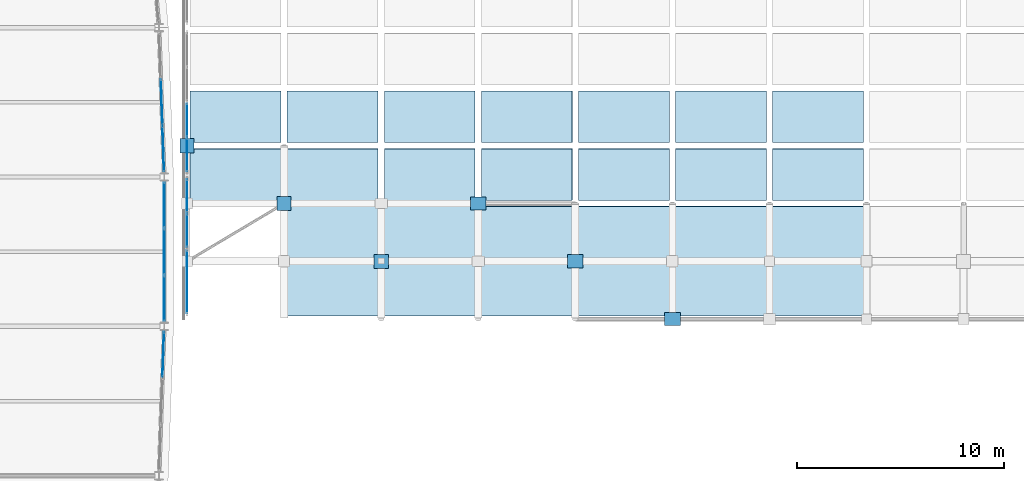
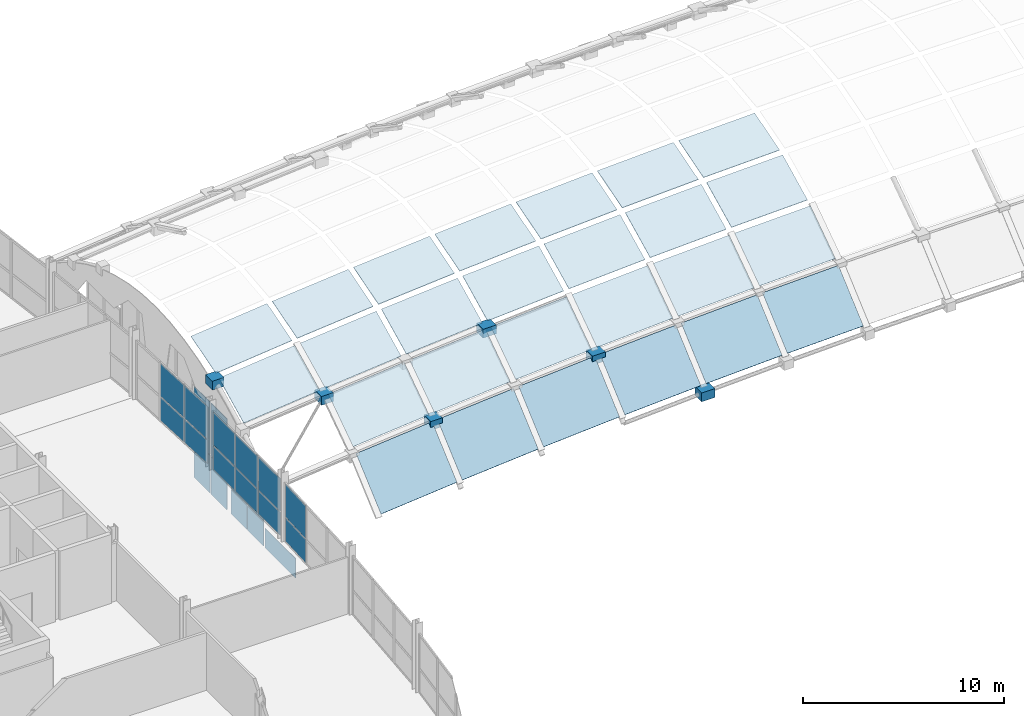
# One storey, part 42 of 65: 53 plates, 7 elements without a shape of their own.
"""IFC4 building model written with IfcOpenShell, lengths in metres."""

from ifc_helpers import new_model, si_unit, direction, frame, origin, origin_2d, place, context, subcontext, project, spatial, polyline, rectangle, outline, extrude, material, layer, layer_set, type_object, element, aggregate, save


model = new_model("IFC4")

# Units and contexts
model_context = context("Model", 3, precision=1e-05, world=origin(), true_north=direction((0.0, 1.0)))
body_context = subcontext(model_context, "Body", "Model", "MODEL_VIEW")
ifc_project = project(units=[si_unit("LENGTHUNIT", "METRE"), si_unit("AREAUNIT", "SQUARE_METRE"), si_unit("VOLUMEUNIT", "CUBIC_METRE"), si_unit("PLANEANGLEUNIT", "RADIAN"), si_unit("MASSUNIT", "GRAM", prefix="KILO")], contexts=[model_context])

# Site, building, storey
site_placement = place(None, origin())
site = spatial("IfcSite", under=ifc_project, at=site_placement, CompositionType="ELEMENT")
building_placement = place(site_placement, origin())
building = spatial("IfcBuilding", under=site, at=building_placement, Name="Quillay Park Conservatory", CompositionType="ELEMENT")
storey_placement = place(building_placement, frame((0.0, 0.0, 14.10009765625)))
storey = spatial("IfcBuildingStorey", under=building, at=storey_placement, Name="L03", CompositionType="ELEMENT", Elevation=14.10009765625)

# Plates
ifc_material_1 = material(Name="Steel S355J2H", Category="steel")
ifc_layer_1 = layer(ifc_material_1, 0.0439453125)
ifc_layer_set_1 = layer_set([ifc_layer_1], Name="BOLTED GUSSET NODE PLATE GN04 (Steel S355J2H)")
plate_type_1 = type_object("IfcPlateType", Name="BOLTED GUSSET NODE PLATE GN04", PredefinedType="USERDEFINED", material=ifc_layer_set_1)
for number, where, z_axis, x_axis, name in (
    (1, (30.64990234375, 93.905029296875, 3.722412109375), (0.0, 0.0, 1.0), (1.0, 0.0, 0.0), "Conservatory gridshell star node GN04 (0,3)"),
    (2, (35.327880859375, 91.1201171875, 2.847412109375), (0.0, 0.0, 1.0), (1.0, 0.0, 0.0), "Conservatory gridshell star node GN04 (1,2)"),
    (3, (40.005615234375, 88.3349609375, 1.374755859375), (0.0, 0.0, 1.0), (1.0, 0.0, 0.0), "Conservatory gridshell star node GN04 (2,1)"),
):
    element("IfcPlate", number, at=place(storey_placement, frame(where, z_axis=z_axis, x_axis=x_axis)), inside=storey, type_object=plate_type_1, Name=name, ObjectType="GUSSET PLATE", PredefinedType="USERDEFINED", context=body_context, shape_type="SweptSolid", body=[
        extrude(rectangle(XDim=0.679931640625, YDim=0.679931640625, at=origin_2d()), origin(), (0.0, 0.0, 1.0), 0.5400390625),
    ])
ifc_material_2 = material(Name="Steel S355J2H", Category="steel")
ifc_layer_2 = layer(ifc_material_2, 0.052001953125)
ifc_layer_set_2 = layer_set([ifc_layer_2], Name="BOLTED GUSSET NODE PLATE GN06 (Steel S355J2H)")
plate_type_2 = type_object("IfcPlateType", Name="BOLTED GUSSET NODE PLATE GN06", PredefinedType="USERDEFINED", material=ifc_layer_set_2)
for number, where, z_axis, x_axis, name in (
    (4, (44.683349609375, 91.1201171875, 3.663818359375), (0.0, 0.0, 1.0), (1.0, 0.0, 0.0), "Conservatory gridshell star node GN06 (3,2)"),
    (5, (49.361083984375, 88.3349609375, 2.073974609375), (0.0, 0.0, 1.0), (1.0, 0.0, 0.0), "Conservatory gridshell star node GN06 (4,1)"),
    (6, (54.038818359375, 85.550048828125, -0.109619140625), (0.0, 0.0, 1.0), (1.0, 0.0, 0.0), "Conservatory gridshell star node GN06 (5,0)"),
):
    element("IfcPlate", number, at=place(storey_placement, frame(where, z_axis=z_axis, x_axis=x_axis)), inside=storey, type_object=plate_type_2, Name=name, ObjectType="GUSSET PLATE", PredefinedType="USERDEFINED", context=body_context, shape_type="SweptSolid", body=[
        extrude(rectangle(XDim=0.760009765625, YDim=0.639892578125, at=origin_2d()), origin(), (0.0, 0.0, 1.0), 0.5400390625),
    ])

# Curtain wall, plates
ifc_material_3 = material(Name="Thermally Broken Anodised Aluminium 6063-T6", Category="aluminium")
ifc_layer_3 = layer(ifc_material_3, 0.179931640625)
ifc_layer_set_3 = layer_set([ifc_layer_3], Name="UNITISED CURTAIN WALL TOWER (Thermally Broken Anodised Aluminium 6063-T6)")
curtain_wall_type_1 = type_object("IfcCurtainWallType", Name="UNITISED CURTAIN WALL TOWER", PredefinedType="USERDEFINED", material=ifc_layer_set_3)
curtain_wall_1_placement = place(storey_placement, origin())
curtain_wall_1 = element("IfcCurtainWall", 7, at=curtain_wall_1_placement, inside=storey, type_object=curtain_wall_type_1, Name="L03 Unitised Curtain Wall 030", ObjectType="UNITISED CURTAIN WALL", PredefinedType="USERDEFINED")
ifc_material_4 = material(Name="Low-E Double Glazing (Laminated Tempered)", Category="glass")
ifc_layer_4 = layer(ifc_material_4, 0.028076171875)
ifc_layer_set_4 = layer_set([ifc_layer_4], Name="CURTAIN WALL GLAZED PANEL 28 (Low-E Double Glazing (Laminated Tempered))")
plate_type_3 = type_object("IfcPlateType", Name="CURTAIN WALL GLAZED PANEL 28", PredefinedType="CURTAIN_PANEL", material=ifc_layer_set_4)
plate_1_placement = place(storey_placement, frame((29.503173828125, 83.849365234375, 0.06982421875), z_axis=(0.0, 0.0, 1.0), x_axis=(-0.034713338537, -0.999397310446, 0.0)))
plate_1 = element("IfcPlate", 8, at=plate_1_placement, type_object=plate_type_3, Name="CW-T1 panel 1.1", PredefinedType="CURTAIN_PANEL", context=body_context, shape_type="SweptSolid", body=[
    extrude(rectangle(XDim=2.1630859375, YDim=0.028076171875, at=origin_2d()), origin(), (0.0, 0.0, 1.0), 1.406494140625),
])
plate_2_placement = place(storey_placement, frame((29.503173828125, 83.849365234375, 1.54638671875), z_axis=(0.0, 0.0, 1.0), x_axis=(-0.034713338537, -0.999397310446, 0.0)))
plate_2 = element("IfcPlate", 9, at=plate_2_placement, type_object=plate_type_3, Name="CW-T1 panel 1.2", PredefinedType="CURTAIN_PANEL", context=body_context, shape_type="SweptSolid", body=[
    extrude(rectangle(XDim=2.1630859375, YDim=0.028076171875, at=origin_2d()), origin(), (0.0, 0.0, 1.0), 1.982421875),
])
aggregate(curtain_wall_1, [plate_1, plate_2])

curtain_wall_2_placement = place(storey_placement, origin())
curtain_wall_2 = element("IfcCurtainWall", 10, at=curtain_wall_2_placement, inside=storey, type_object=curtain_wall_type_1, Name="L03 Unitised Curtain Wall 031", ObjectType="UNITISED CURTAIN WALL", PredefinedType="USERDEFINED")
plate_3_placement = place(storey_placement, frame((29.550048828125, 91.049072265625, 0.06982421875), z_axis=(0.0, 0.0, 1.0), x_axis=(0.0, -1.0, 0.0)))
plate_3 = element("IfcPlate", 11, at=plate_3_placement, type_object=plate_type_3, Name="CW-T1 panel 1.1", PredefinedType="CURTAIN_PANEL", context=body_context, shape_type="SweptSolid", body=[
    extrude(rectangle(XDim=2.16162109375, YDim=0.028076171875, at=origin_2d()), origin(), (0.0, 0.0, 1.0), 1.406494140625),
])
plate_4_placement = place(storey_placement, frame((29.550048828125, 91.049072265625, 1.54638671875), z_axis=(0.0, 0.0, 1.0), x_axis=(0.0, -1.0, 0.0)))
plate_4 = element("IfcPlate", 12, at=plate_4_placement, type_object=plate_type_3, Name="CW-T1 panel 1.2", PredefinedType="CURTAIN_PANEL", context=body_context, shape_type="SweptSolid", body=[
    extrude(rectangle(XDim=2.16162109375, YDim=0.028076171875, at=origin_2d()), origin(), (0.0, 0.0, 1.0), 1.982421875),
])
plate_5_placement = place(storey_placement, frame((29.550048828125, 88.800048828125, 0.06982421875), z_axis=(0.0, 0.0, 1.0), x_axis=(0.0, -1.0, 0.0)))
plate_5 = element("IfcPlate", 13, at=plate_5_placement, type_object=plate_type_3, Name="CW-T1 panel 2.1", PredefinedType="CURTAIN_PANEL", context=body_context, shape_type="SweptSolid", body=[
    extrude(rectangle(XDim=2.19677734375, YDim=0.028076171875, at=origin_2d()), origin(), (0.0, 0.0, 1.0), 1.406494140625),
])
plate_6_placement = place(storey_placement, frame((29.550048828125, 88.800048828125, 1.54638671875), z_axis=(0.0, 0.0, 1.0), x_axis=(0.0, -1.0, 0.0)))
plate_6 = element("IfcPlate", 14, at=plate_6_placement, type_object=plate_type_3, Name="CW-T1 panel 2.2", PredefinedType="CURTAIN_PANEL", context=body_context, shape_type="SweptSolid", body=[
    extrude(rectangle(XDim=2.19677734375, YDim=0.028076171875, at=origin_2d()), origin(), (0.0, 0.0, 1.0), 1.982421875),
])
plate_7_placement = place(storey_placement, frame((29.550048828125, 86.55078125, 0.06982421875), z_axis=(0.0, 0.0, 1.0), x_axis=(0.0, -1.0, 0.0)))
plate_7 = element("IfcPlate", 15, at=plate_7_placement, type_object=plate_type_3, Name="CW-T1 panel 3.1", PredefinedType="CURTAIN_PANEL", context=body_context, shape_type="SweptSolid", body=[
    extrude(rectangle(XDim=2.16162109375, YDim=0.028076171875, at=origin_2d()), origin(), (0.0, 0.0, 1.0), 1.406494140625),
])
plate_8_placement = place(storey_placement, frame((29.550048828125, 86.55078125, 1.54638671875), z_axis=(0.0, 0.0, 1.0), x_axis=(0.0, -1.0, 0.0)))
plate_8 = element("IfcPlate", 16, at=plate_8_placement, type_object=plate_type_3, Name="CW-T1 panel 3.2", PredefinedType="CURTAIN_PANEL", context=body_context, shape_type="SweptSolid", body=[
    extrude(rectangle(XDim=2.16162109375, YDim=0.028076171875, at=origin_2d()), origin(), (0.0, 0.0, 1.0), 1.982421875),
])
aggregate(curtain_wall_2, [plate_3, plate_4, plate_5, plate_6, plate_7, plate_8])

curtain_wall_3_placement = place(storey_placement, origin())
curtain_wall_3 = element("IfcCurtainWall", 17, at=curtain_wall_3_placement, inside=storey, type_object=curtain_wall_type_1, Name="L03 Unitised Curtain Wall 032", ObjectType="UNITISED CURTAIN WALL", PredefinedType="USERDEFINED")
plate_9_placement = place(storey_placement, frame((29.425048828125, 96.0, 0.06982421875), z_axis=(0.0, 0.0, 1.0), x_axis=(0.034713338537, -0.999397310446, 0.0)))
plate_9 = element("IfcPlate", 18, at=plate_9_placement, type_object=plate_type_3, Name="CW-T1 panel 2.1", PredefinedType="CURTAIN_PANEL", context=body_context, shape_type="SweptSolid", body=[
    extrude(rectangle(XDim=2.197998046875, YDim=0.028076171875, at=origin_2d()), origin(), (0.0, 0.0, 1.0), 1.406494140625),
])
plate_10_placement = place(storey_placement, frame((29.425048828125, 96.0, 1.54638671875), z_axis=(0.0, 0.0, 1.0), x_axis=(0.034713338537, -0.999397310446, 0.0)))
plate_10 = element("IfcPlate", 19, at=plate_10_placement, type_object=plate_type_3, Name="CW-T1 panel 2.2", PredefinedType="CURTAIN_PANEL", context=body_context, shape_type="SweptSolid", body=[
    extrude(rectangle(XDim=2.197998046875, YDim=0.028076171875, at=origin_2d()), origin(), (0.0, 0.0, 1.0), 1.982421875),
])
plate_11_placement = place(storey_placement, frame((29.503173828125, 93.750732421875, 0.06982421875), z_axis=(0.0, 0.0, 1.0), x_axis=(0.034713338537, -0.999397310446, 0.0)))
plate_11 = element("IfcPlate", 20, at=plate_11_placement, type_object=plate_type_3, Name="CW-T1 panel 3.1", PredefinedType="CURTAIN_PANEL", context=body_context, shape_type="SweptSolid", body=[
    extrude(rectangle(XDim=2.1630859375, YDim=0.028076171875, at=origin_2d()), origin(), (0.0, 0.0, 1.0), 1.406494140625),
])
plate_12_placement = place(storey_placement, frame((29.503173828125, 93.750732421875, 1.54638671875), z_axis=(0.0, 0.0, 1.0), x_axis=(0.034713338537, -0.999397310446, 0.0)))
plate_12 = element("IfcPlate", 21, at=plate_12_placement, type_object=plate_type_3, Name="CW-T1 panel 3.2", PredefinedType="CURTAIN_PANEL", context=body_context, shape_type="SweptSolid", body=[
    extrude(rectangle(XDim=2.1630859375, YDim=0.028076171875, at=origin_2d()), origin(), (0.0, 0.0, 1.0), 1.982421875),
])
aggregate(curtain_wall_3, [plate_9, plate_10, plate_11, plate_12])

# Curtain wall, plate
ifc_material_5 = material(Name="Thermally Broken Anodised Aluminium 6063-T6", Category="aluminium")
ifc_layer_5 = layer(ifc_material_5, 0.219970703125)
ifc_layer_set_5 = layer_set([ifc_layer_5], Name="UNITISED CURTAIN WALL CONSERVATORY (Thermally Broken Anodised Aluminium 6063-T6)")
curtain_wall_type_2 = type_object("IfcCurtainWallType", Name="UNITISED CURTAIN WALL CONSERVATORY", PredefinedType="USERDEFINED", material=ifc_layer_set_5)
curtain_wall_4_placement = place(storey_placement, origin())
curtain_wall_4 = element("IfcCurtainWall", 22, at=curtain_wall_4_placement, inside=storey, type_object=curtain_wall_type_2, Name="L03 Unitised Curtain Wall 175", ObjectType="UNITISED CURTAIN WALL", PredefinedType="USERDEFINED")
ifc_material_6 = material(Name="Low-Iron Laminated Insulated Glazing", Category="glass")
ifc_layer_6 = layer(ifc_material_6, 0.031982421875)
ifc_layer_set_6 = layer_set([ifc_layer_6], Name="CURTAIN WALL GLAZED PANEL 32 (Low-Iron Laminated Insulated Glazing)")
plate_type_4 = type_object("IfcPlateType", Name="CURTAIN WALL GLAZED PANEL 32", PredefinedType="CURTAIN_PANEL", material=ifc_layer_set_6)
plate_13_placement = place(storey_placement, frame((30.64990234375, 87.3525390625, -3.13037109375), z_axis=(0.0, 0.0, 1.0), x_axis=(0.0, 1.0, 0.0)))
plate_13 = element("IfcPlate", 23, at=plate_13_placement, type_object=plate_type_4, Name="CW-C1 panel 1.1", PredefinedType="CURTAIN_PANEL", context=body_context, shape_type="SweptSolid", body=[
    extrude(rectangle(XDim=3.054931640625, YDim=0.031982421875, at=origin_2d()), origin(), (0.0, 0.0, 1.0), 1.177978515625),
])
aggregate(curtain_wall_4, [plate_13])

# Curtain wall, plates
curtain_wall_5_placement = place(storey_placement, origin())
curtain_wall_5 = element("IfcCurtainWall", 24, at=curtain_wall_5_placement, inside=storey, type_object=curtain_wall_type_2, Name="L03 Unitised Curtain Wall 177", ObjectType="UNITISED CURTAIN WALL", PredefinedType="USERDEFINED")
plate_14_placement = place(storey_placement, frame((30.64990234375, 89.8173828125, -3.130126953125), z_axis=(0.0, 0.0, 1.0), x_axis=(0.0, 1.0, 0.0)))
plate_14 = element("IfcPlate", 25, at=plate_14_placement, type_object=plate_type_4, Name="CW-C1 panel 1.1", PredefinedType="CURTAIN_PANEL", context=body_context, shape_type="SweptSolid", body=[
    extrude(rectangle(XDim=1.594970703125, YDim=0.031982421875, at=origin_2d()), origin(), (0.0, 0.0, 1.0), 1.4755859375),
])
plate_15_placement = place(storey_placement, frame((30.64990234375, 89.8173828125, -1.58447265625), z_axis=(0.0, 0.0, 1.0), x_axis=(0.0, 1.0, 0.0)))
plate_15 = element("IfcPlate", 26, at=plate_15_placement, type_object=plate_type_4, Name="CW-C1 panel 1.2", PredefinedType="CURTAIN_PANEL", context=body_context, shape_type="SweptSolid", body=[
    extrude(rectangle(XDim=1.594970703125, YDim=0.031982421875, at=origin_2d()), origin(), (0.0, 0.0, 1.0), 2.07763671875),
])
plate_16_placement = place(storey_placement, frame((30.64990234375, 91.482421875, -3.130126953125), z_axis=(0.0, 0.0, 1.0), x_axis=(0.0, 1.0, 0.0)))
plate_16 = element("IfcPlate", 27, at=plate_16_placement, type_object=plate_type_4, Name="CW-C1 panel 2.1", PredefinedType="CURTAIN_PANEL", context=body_context, shape_type="SweptSolid", body=[
    extrude(rectangle(XDim=1.594970703125, YDim=0.031982421875, at=origin_2d()), origin(), (0.0, 0.0, 1.0), 1.4755859375),
])
plate_17_placement = place(storey_placement, frame((30.64990234375, 91.482421875, -1.58447265625), z_axis=(0.0, 0.0, 1.0), x_axis=(0.0, 1.0, 0.0)))
plate_17 = element("IfcPlate", 28, at=plate_17_placement, type_object=plate_type_4, Name="CW-C1 panel 2.2", PredefinedType="CURTAIN_PANEL", context=body_context, shape_type="SweptSolid", body=[
    extrude(rectangle(XDim=1.594970703125, YDim=0.031982421875, at=origin_2d()), origin(), (0.0, 0.0, 1.0), 2.07763671875),
])
aggregate(curtain_wall_5, [plate_14, plate_15, plate_16, plate_17])

curtain_wall_6_placement = place(storey_placement, origin())
curtain_wall_6 = element("IfcCurtainWall", 29, at=curtain_wall_6_placement, inside=storey, type_object=curtain_wall_type_2, Name="L03 Unitised Curtain Wall 179", ObjectType="UNITISED CURTAIN WALL", PredefinedType="USERDEFINED")
plate_18_placement = place(storey_placement, frame((30.64990234375, 93.47119140625, -3.130126953125), z_axis=(0.0, 0.0, 1.0), x_axis=(0.0, 1.0, 0.0)))
plate_18 = element("IfcPlate", 30, at=plate_18_placement, type_object=plate_type_4, Name="CW-C1 panel 1.1", PredefinedType="CURTAIN_PANEL", context=body_context, shape_type="SweptSolid", body=[
    extrude(rectangle(XDim=1.592529296875, YDim=0.031982421875, at=origin_2d()), origin(), (0.0, 0.0, 1.0), 2.27783203125),
])
plate_19_placement = place(storey_placement, frame((30.64990234375, 93.47119140625, -0.7822265625), z_axis=(0.0, 0.0, 1.0), x_axis=(0.0, 1.0, 0.0)))
plate_19 = element("IfcPlate", 31, at=plate_19_placement, type_object=plate_type_4, Name="CW-C1 panel 1.2", PredefinedType="CURTAIN_PANEL", context=body_context, shape_type="SweptSolid", body=[
    extrude(rectangle(XDim=1.592529296875, YDim=0.031982421875, at=origin_2d()), origin(), (0.0, 0.0, 1.0), 3.185546875),
])
plate_20_placement = place(storey_placement, frame((30.64990234375, 95.1337890625, -3.130126953125), z_axis=(0.0, 0.0, 1.0), x_axis=(0.0, 1.0, 0.0)))
plate_20 = element("IfcPlate", 32, at=plate_20_placement, type_object=plate_type_4, Name="CW-C1 panel 2.1", PredefinedType="CURTAIN_PANEL", context=body_context, shape_type="SweptSolid", body=[
    extrude(rectangle(XDim=1.592529296875, YDim=0.031982421875, at=origin_2d()), origin(), (0.0, 0.0, 1.0), 2.27783203125),
])
plate_21_placement = place(storey_placement, frame((30.64990234375, 95.1337890625, -0.7822265625), z_axis=(0.0, 0.0, 1.0), x_axis=(0.0, 1.0, 0.0)))
plate_21 = element("IfcPlate", 33, at=plate_21_placement, type_object=plate_type_4, Name="CW-C1 panel 2.2", PredefinedType="CURTAIN_PANEL", context=body_context, shape_type="SweptSolid", body=[
    extrude(rectangle(XDim=1.592529296875, YDim=0.031982421875, at=origin_2d()), origin(), (0.0, 0.0, 1.0), 3.185546875),
])
aggregate(curtain_wall_6, [plate_18, plate_19, plate_20, plate_21])

# Roof, plates
ifc_material_7 = material(Name="Low-Iron Laminated Insulated Glazing", Category="glass")
roof_type = type_object("IfcRoofType", Name="TRANSLATIONAL GRIDSHELL ROOF", PredefinedType="FREEFORM", material=ifc_material_7)
roof_placement = place(storey_placement, origin())
roof = element("IfcRoof", 34, at=roof_placement, inside=storey, type_object=roof_type, Name="Multi-Biome Conservatory Translational Gridshell Roof", PredefinedType="FREEFORM")
ifc_material_8 = material(Name="Low-Iron Laminated Insulated Glazing", Category="glass")
ifc_layer_7 = layer(ifc_material_8, 0.033935546875)
ifc_layer_set_7 = layer_set([ifc_layer_7], Name="GRIDSHELL GLAZED PANEL 34 (Low-Iron Laminated Insulated Glazing)")
plate_type_5 = type_object("IfcPlateType", Name="GRIDSHELL GLAZED PANEL 34", PredefinedType="SHEET", material=ifc_layer_set_7)
plate_22_placement = place(storey_placement, frame((30.800048828125, 94.054931640625, 4.29052734375), z_axis=(-0.100379659053, -0.284719168104, 0.953340925043), x_axis=(0.994502413448, 0.0, 0.10471365549)))
plate_22 = element("IfcPlate", 35, at=plate_22_placement, type_object=plate_type_5, Name="Conservatory Gridshell Roof Glazing Panel 00-03", PredefinedType="SHEET", context=body_context, shape_type="SweptSolid", body=[
    extrude(outline(polyline([(0.0, 0.0), (4.401885292261092, 0.0), (4.479602458445021, 2.5924045258205366), (0.07771716618392943, 2.5924045258205366), (0.0, 0.0)])), origin(), (0.0, 0.0, -1.0), 0.033935546875),
])
plate_23_placement = place(storey_placement, frame((35.477783203125, 91.27001953125, 3.43896484375), z_axis=(-0.083715044913, -0.441072668602, 0.893558443677), x_axis=(0.995640029065, 0.0, 0.09327878925)))
plate_23 = element("IfcPlate", 36, at=plate_23_placement, type_object=plate_type_5, Name="Conservatory Gridshell Roof Glazing Panel 01-02", PredefinedType="SHEET", context=body_context, shape_type="SweptSolid", body=[
    extrude(outline(polyline([(0.0, 0.0), (4.397100919709247, 0.0), (4.51151318464855, 2.768738146979997), (0.11441226493930247, 2.768738146979997), (0.0, 0.0)])), origin(), (0.0, 0.0, -1.0), 0.033935546875),
])
plate_24_placement = place(storey_placement, frame((40.155517578125, 88.485107421875, 1.99365234375), z_axis=(-0.066828202311, -0.56408810222, 0.823005834919), x_axis=(0.996719480928, 0.0, 0.080933777493)))
plate_24 = element("IfcPlate", 37, at=plate_24_placement, type_object=plate_type_5, Name="Conservatory Gridshell Roof Glazing Panel 02-01", PredefinedType="SHEET", context=body_context, shape_type="SweptSolid", body=[
    extrude(outline(polyline([(0.0, 0.0), (4.392093894664006, 0.0), (4.52993423445712, 3.0093488220635436), (0.13784033979311447, 3.0093488220635436), (0.0, 0.0)])), origin(), (0.0, 0.0, -1.0), 0.033935546875),
])
plate_25_placement = place(storey_placement, frame((44.833251953125, 85.699951171875, -0.04541015625), z_axis=(-0.051542398016, -0.659188039549, 0.750209643848), x_axis=(0.997648203197, 0.0, 0.068542415031)))
plate_25 = element("IfcPlate", 38, at=plate_25_placement, type_object=plate_type_5, Name="Conservatory Gridshell Roof Glazing Panel 03-00", PredefinedType="SHEET", context=body_context, shape_type="SweptSolid", body=[
    extrude(outline(polyline([(0.0, 0.0), (4.388249959727159, 0.0), (4.537918748799061, 3.3047601753947324), (0.14966878907190223, 3.3047601753947324), (0.0, 0.0)])), origin(), (0.0, 0.0, -1.0), 0.033935546875),
])
plate_26_placement = place(storey_placement, frame((44.833251953125, 94.054931640625, 5.59521484375), z_axis=(-0.06568864252, -0.285546458851, 0.95611098837), x_axis=(0.997648203197, 0.0, 0.068542415031)))
plate_26 = element("IfcPlate", 39, at=plate_26_placement, type_object=plate_type_5, Name="Conservatory Gridshell Roof Glazing Panel 03-03", PredefinedType="SHEET", context=body_context, shape_type="SweptSolid", body=[
    extrude(outline(polyline([(0.0, 0.0), (4.388249959727159, -1.3877787807814457e-17), (4.439121283383082, 2.5930702442941946), (0.05087132365592384, 2.5930702442941946), (0.0, 0.0)])), origin(), (0.0, 0.0, -1.0), 0.033935546875),
])
plate_27_placement = place(storey_placement, frame((49.510986328125, 91.27001953125, 4.56787109375), z_axis=(-0.050342052262, -0.442065169955, 0.895569128145), x_axis=(0.998423819779, 0.0, 0.05612375699)))
plate_27 = element("IfcPlate", 40, at=plate_27_placement, type_object=plate_type_5, Name="Conservatory Gridshell Roof Glazing Panel 04-02", PredefinedType="SHEET", context=body_context, shape_type="SweptSolid", body=[
    extrude(outline(polyline([(0.0, 0.0), (4.384840987137722, 0.0), (4.453680282820235, 2.7702458815564914), (0.06883929568251282, 2.7702458815564914), (0.0, 0.0)])), origin(), (0.0, 0.0, -1.0), 0.033935546875),
])
plate_28_placement = place(storey_placement, frame((54.18896484375, 88.485107421875, 2.95068359375), z_axis=(-0.036041608325, -0.564984633507, 0.824313876124), x_axis=(0.999045510911, 0.0, 0.043681427726)))
plate_28 = element("IfcPlate", 41, at=plate_28_placement, type_object=plate_type_5, Name="Conservatory Gridshell Roof Glazing Panel 05-01", PredefinedType="SHEET", context=body_context, shape_type="SweptSolid", body=[
    extrude(outline(polyline([(0.0, 0.0), (4.381867992061984, 0.0), (4.456262923657778, 3.0115852447311493), (0.07439493159579387, 3.0115852447311493), (0.0, 0.0)])), origin(), (0.0, 0.0, -1.0), 0.033935546875),
])
plate_29_placement = place(storey_placement, frame((58.86669921875, 85.699951171875, 0.73583984375), z_axis=(-0.023454399416, -0.659883814817, 0.751001492735), x_axis=(0.999512674112, 0.0, 0.031215609698)))
plate_29 = element("IfcPlate", 42, at=plate_29_placement, type_object=plate_type_5, Name="Conservatory Gridshell Roof Glazing Panel 06-00", PredefinedType="SHEET", context=body_context, shape_type="SweptSolid", body=[
    extrude(outline(polyline([(0.0, 0.0), (4.379819946518331, 0.0), (4.447982156758304, 3.307445309660082), (0.06816221023997364, 3.307445309660082), (0.0, 0.0)])), origin(), (0.0, 0.0, -1.0), 0.033935546875),
])
plate_30_placement = place(storey_placement, frame((58.86669921875, 94.054931640625, 6.37646484375), z_axis=(-0.029911381815, -0.28603648293, 0.957751763074), x_axis=(0.999512674112, 0.0, 0.031215609698)))
plate_30 = element("IfcPlate", 43, at=plate_30_placement, type_object=plate_type_5, Name="Conservatory Gridshell Roof Glazing Panel 06-03", PredefinedType="SHEET", context=body_context, shape_type="SweptSolid", body=[
    extrude(outline(polyline([(0.0, 0.0), (4.379819946518331, 0.0), (4.402987781841398, 2.593465718844362), (0.023167835323067962, 2.593465718844362), (0.0, 0.0)])), origin(), (0.0, 0.0, -1.0), 0.033935546875),
])
ifc_material_9 = material(Name="Low-Iron Laminated Insulated Glazing", Category="glass")
ifc_layer_8 = layer(ifc_material_9, 0.0380859375)
ifc_layer_set_8 = layer_set([ifc_layer_8], Name="GRIDSHELL GLAZED PANEL 38 (Low-Iron Laminated Insulated Glazing)")
plate_type_6 = type_object("IfcPlateType", Name="GRIDSHELL GLAZED PANEL 38", PredefinedType="SHEET", material=ifc_layer_set_8)
plate_31_placement = place(storey_placement, frame((35.477783203125, 85.699951171875, -0.85791015625), z_axis=(-0.070204981761, -0.658436739241, 0.749354602944), x_axis=(0.995640029065, 0.0, 0.09327878925)))
plate_31 = element("IfcPlate", 44, at=plate_31_placement, type_object=plate_type_6, Name="Conservatory Gridshell Roof Glazing Panel 01-00", PredefinedType="SHEET", context=body_context, shape_type="SweptSolid", body=[
    extrude(outline(polyline([(0.0, 0.0), (4.397100919709247, -5.551115123125783e-17), (4.600783900922846, 3.3018712583111434), (0.20368298121359898, 3.3018712583111434), (0.0, 0.0)])), origin(), (0.0, 0.0, -1.0), 0.0380859375),
])
plate_32_placement = place(storey_placement, frame((35.477783203125, 94.054931640625, 4.78271484375), z_axis=(-0.089409775434, -0.285018415772, 0.954342912547), x_axis=(0.995640029065, 0.0, 0.09327878925)))
plate_32 = element("IfcPlate", 45, at=plate_32_placement, type_object=plate_type_6, Name="Conservatory Gridshell Roof Glazing Panel 01-03", PredefinedType="SHEET", context=body_context, shape_type="SweptSolid", body=[
    extrude(outline(polyline([(0.0, 0.0), (4.397100919709247, 0.0), (4.46633127110564, 2.592645047410075), (0.06923035139639322, 2.592645047410075), (0.0, 0.0)])), origin(), (0.0, 0.0, -1.0), 0.0380859375),
])
plate_33_placement = place(storey_placement, frame((40.155517578125, 91.27001953125, 3.87255859375), z_axis=(-0.072620426108, -0.44145771661, 0.894338503117), x_axis=(0.996719480928, 0.0, 0.080933777493)))
plate_33 = element("IfcPlate", 46, at=plate_33_placement, type_object=plate_type_6, Name="Conservatory Gridshell Roof Glazing Panel 02-02", PredefinedType="SHEET", context=body_context, shape_type="SweptSolid", body=[
    extrude(outline(polyline([(0.0, 0.0), (4.392093894664006, 0.0), (4.491364231120515, 2.7693223888183516), (0.09927033645650904, 2.769322388818351), (0.0, 0.0)])), origin(), (0.0, 0.0, -1.0), 0.0380859375),
])
plate_34_placement = place(storey_placement, frame((44.833251953125, 88.485107421875, 2.37255859375), z_axis=(-0.056579692806, -0.564446303089, 0.823528450809), x_axis=(0.997648203197, 0.0, 0.068542415031)))
plate_34 = element("IfcPlate", 47, at=plate_34_placement, type_object=plate_type_6, Name="Conservatory Gridshell Roof Glazing Panel 03-01", PredefinedType="SHEET", context=body_context, shape_type="SweptSolid", body=[
    extrude(outline(polyline([(0.0, 0.0), (4.388249959727159, -2.7755575615628914e-17), (4.504986260327068, 3.0102413405326427), (0.11673630059990946, 3.010241340532643), (0.0, 0.0)])), origin(), (0.0, 0.0, -1.0), 0.0380859375),
])
plate_35_placement = place(storey_placement, frame((49.510986328125, 85.699951171875, 0.27099609375), z_axis=(-0.042189582882, -0.659477686763, 0.750539285953), x_axis=(0.998423819779, 0.0, 0.05612375699)))
plate_35 = element("IfcPlate", 48, at=plate_35_placement, type_object=plate_type_6, Name="Conservatory Gridshell Roof Glazing Panel 04-00", PredefinedType="SHEET", context=body_context, shape_type="SweptSolid", body=[
    extrude(outline(polyline([(0.0, 0.0), (4.384840987137722, -2.7755575615628914e-17), (4.5073924721266545, 3.305876842355789), (0.12255148498893206, 3.305876842355789), (0.0, 0.0)])), origin(), (0.0, 0.0, -1.0), 0.0380859375),
])
plate_36_placement = place(storey_placement, frame((49.510986328125, 94.054931640625, 5.91162109375), z_axis=(-0.053783626367, -0.285750335227, 0.956793638907), x_axis=(0.998423819779, 0.0, 0.05612375699)))
plate_36 = element("IfcPlate", 49, at=plate_36_placement, type_object=plate_type_6, Name="Conservatory Gridshell Roof Glazing Panel 04-03", PredefinedType="SHEET", context=body_context, shape_type="SweptSolid", body=[
    extrude(outline(polyline([(0.0, 0.0), (4.384840987137722, 0.0), (4.426495338028415, 2.593234678633296), (0.04165435089069247, 2.593234678633296), (0.0, 0.0)])), origin(), (0.0, 0.0, -1.0), 0.0380859375),
])
plate_37_placement = place(storey_placement, frame((54.18896484375, 91.27001953125, 4.82958984375), z_axis=(-0.03917672688, -0.442286599273, 0.89601771644), x_axis=(0.999045510911, 0.0, 0.043681427726)))
plate_37 = element("IfcPlate", 50, at=plate_37_placement, type_object=plate_type_6, Name="Conservatory Gridshell Roof Glazing Panel 05-02", PredefinedType="SHEET", context=body_context, shape_type="SweptSolid", body=[
    extrude(outline(polyline([(0.0, 0.0), (4.381867992061984, 0.0), (4.435445993257121, 2.7705830597003764), (0.053578001195135956, 2.7705830597003764), (0.0, 0.0)])), origin(), (0.0, 0.0, -1.0), 0.0380859375),
])
plate_38_placement = place(storey_placement, frame((58.86669921875, 88.485107421875, 3.15380859375), z_axis=(-0.025752199587, -0.565164453272, 0.824576233573), x_axis=(0.999512674112, 0.0, 0.031215609698)))
plate_38 = element("IfcPlate", 51, at=plate_38_placement, type_object=plate_type_6, Name="Conservatory Gridshell Roof Glazing Panel 06-01", PredefinedType="SHEET", context=body_context, shape_type="SweptSolid", body=[
    extrude(outline(polyline([(0.0, 0.0), (4.379819946518331, 1.3877787807814457e-17), (4.4329840317860025, 3.0120348391356915), (0.05316408526767174, 3.0120348391356915), (0.0, 0.0)])), origin(), (0.0, 0.0, -1.0), 0.0380859375),
])
ifc_material_10 = material(Name="Low-Iron Laminated Insulated Glazing", Category="glass")
ifc_layer_9 = layer(ifc_material_10, 0.0419921875)
ifc_layer_set_9 = layer_set([ifc_layer_9], Name="GRIDSHELL GLAZED PANEL 42 (Low-Iron Laminated Insulated Glazing)")
plate_type_7 = type_object("IfcPlateType", Name="GRIDSHELL GLAZED PANEL 42", PredefinedType="SHEET", material=ifc_layer_set_9)
plate_39_placement = place(storey_placement, frame((30.800048828125, 91.27001953125, 2.94677734375), z_axis=(-0.093998395221, -0.440666609404, 0.892735818175), x_axis=(0.994502413448, 0.0, 0.10471365549)))
plate_39 = element("IfcPlate", 52, at=plate_39_placement, type_object=plate_type_7, Name="Conservatory Gridshell Roof Glazing Panel 00-02", PredefinedType="SHEET", context=body_context, shape_type="SweptSolid", body=[
    extrude(outline(polyline([(0.0, 0.0), (4.401885292261092, 0.0), (4.530323135322954, 2.7681229765637916), (0.12843784306186232, 2.7681229765637916), (0.0, 0.0)])), origin(), (0.0, 0.0, -1.0), 0.0419921875),
])
plate_40_placement = place(storey_placement, frame((35.477783203125, 88.485107421875, 1.56005859375), z_axis=(-0.077048200398, -0.563671365576, 0.8223978152), x_axis=(0.995640029065, 0.0, 0.09327878925)))
plate_40 = element("IfcPlate", 53, at=plate_40_placement, type_object=plate_type_7, Name="Conservatory Gridshell Roof Glazing Panel 01-01", PredefinedType="SHEET", context=body_context, shape_type="SweptSolid", body=[
    extrude(outline(polyline([(0.0, 0.0), (4.397100919709247, 0.0), (4.555966357650444, 3.008312162119694), (0.15886543794119706, 3.008312162119694), (0.0, 0.0)])), origin(), (0.0, 0.0, -1.0), 0.0419921875),
])
plate_41_placement = place(storey_placement, frame((40.155517578125, 85.699951171875, -0.42431640625), z_axis=(-0.060885053761, -0.658840829954, 0.749814491067), x_axis=(0.996719480928, 0.0, 0.080933777493)))
plate_41 = element("IfcPlate", 54, at=plate_41_placement, type_object=plate_type_7, Name="Conservatory Gridshell Roof Glazing Panel 02-00", PredefinedType="SHEET", context=body_context, shape_type="SweptSolid", body=[
    extrude(outline(polyline([(0.0, 0.0), (4.392093894664006, 0.0), (4.568820385362058, 3.3034237255887753), (0.1767264906980527, 3.3034237255887753), (0.0, 0.0)])), origin(), (0.0, 0.0, -1.0), 0.0419921875),
])
plate_42_placement = place(storey_placement, frame((40.155517578125, 94.054931640625, 5.21630859375), z_axis=(-0.077569974286, -0.285302286538, 0.95529341272), x_axis=(0.996719480928, 0.0, 0.080933777493)))
plate_42 = element("IfcPlate", 55, at=plate_42_placement, type_object=plate_type_7, Name="Conservatory Gridshell Roof Glazing Panel 02-03", PredefinedType="SHEET", context=body_context, shape_type="SweptSolid", body=[
    extrude(outline(polyline([(0.0, 0.0), (4.392093894664006, 0.0), (4.452161932647243, 2.5928735052499774), (0.060068037983237954, 2.5928735052499774), (0.0, 0.0)])), origin(), (0.0, 0.0, -1.0), 0.0419921875),
])
plate_43_placement = place(storey_placement, frame((44.833251953125, 91.27001953125, 4.25146484375), z_axis=(-0.061490708681, -0.441788803266, 0.895009243558), x_axis=(0.997648203197, 0.0, 0.068542415031)))
plate_43 = element("IfcPlate", 56, at=plate_43_placement, type_object=plate_type_7, Name="Conservatory Gridshell Roof Glazing Panel 03-02", PredefinedType="SHEET", context=body_context, shape_type="SweptSolid", body=[
    extrude(outline(polyline([(0.0, 0.0), (4.388249959727159, -2.7755575615628914e-17), (4.472321515663791, 2.769825457748766), (0.08407155593663203, 2.769825457748766), (0.0, 0.0)])), origin(), (0.0, 0.0, -1.0), 0.0419921875),
])
plate_44_placement = place(storey_placement, frame((49.510986328125, 88.485107421875, 2.68896484375), z_axis=(-0.046316990321, -0.564745208169, 0.823964554006), x_axis=(0.998423819779, 0.0, 0.05612375699)))
plate_44 = element("IfcPlate", 57, at=plate_44_placement, type_object=plate_type_7, Name="Conservatory Gridshell Roof Glazing Panel 04-01", PredefinedType="SHEET", context=body_context, shape_type="SweptSolid", body=[
    extrude(outline(polyline([(0.0, 0.0), (4.384840987137722, 0.0), (4.480426760760575, 3.0109871557365437), (0.0955857736228522, 3.0109871557365437), (0.0, 0.0)])), origin(), (0.0, 0.0, -1.0), 0.0419921875),
])
plate_45_placement = place(storey_placement, frame((54.18896484375, 85.699951171875, 0.53271484375), z_axis=(-0.032827492154, -0.659709639996, 0.750803267611), x_axis=(0.999045510911, 0.0, 0.043681427726)))
plate_45 = element("IfcPlate", 58, at=plate_45_placement, type_object=plate_type_7, Name="Conservatory Gridshell Roof Glazing Panel 05-00", PredefinedType="SHEET", context=body_context, shape_type="SweptSolid", body=[
    extrude(outline(polyline([(0.0, 0.0), (4.381867992061984, 0.0), (4.477250484635491, 3.3067722545418414), (0.09538249257350637, 3.3067722545418414), (0.0, 0.0)])), origin(), (0.0, 0.0, -1.0), 0.0419921875),
])
plate_46_placement = place(storey_placement, frame((54.18896484375, 94.054931640625, 6.17333984375), z_axis=(-0.041857962431, -0.285913723188, 0.957340719845), x_axis=(0.999045510911, 0.0, 0.043681427726)))
plate_46 = element("IfcPlate", 59, at=plate_46_placement, type_object=plate_type_7, Name="Conservatory Gridshell Roof Glazing Panel 05-03", PredefinedType="SHEET", context=body_context, shape_type="SweptSolid", body=[
    extrude(outline(polyline([(0.0, 0.0), (4.381867992061984, -6.938893903907228e-18), (4.414287801702353, 2.593366564787427), (0.03241980964036889, 2.593366564787427), (0.0, 0.0)])), origin(), (0.0, 0.0, -1.0), 0.0419921875),
])
plate_47_placement = place(storey_placement, frame((58.86669921875, 91.27001953125, 5.03271484375), z_axis=(-0.027993900481, -0.44245293678, 0.89635469557), x_axis=(0.999512674112, 0.0, 0.031215609698)))
plate_47 = element("IfcPlate", 60, at=plate_47_placement, type_object=plate_type_7, Name="Conservatory Gridshell Roof Glazing Panel 06-02", PredefinedType="SHEET", context=body_context, shape_type="SweptSolid", body=[
    extrude(outline(polyline([(0.0, 0.0), (4.379819946518331, 6.938893903907228e-18), (4.418107842789085, 2.770836539731265), (0.03828789627075442, 2.770836539731265), (0.0, 0.0)])), origin(), (0.0, 0.0, -1.0), 0.0419921875),
])
aggregate(roof, [plate_39, plate_22, plate_31, plate_40, plate_23, plate_32, plate_41, plate_24, plate_33, plate_42, plate_25, plate_34, plate_43, plate_26, plate_35, plate_44, plate_27, plate_36, plate_45, plate_28, plate_37, plate_46, plate_29, plate_38, plate_47, plate_30])

save(model, "model.ifc")
